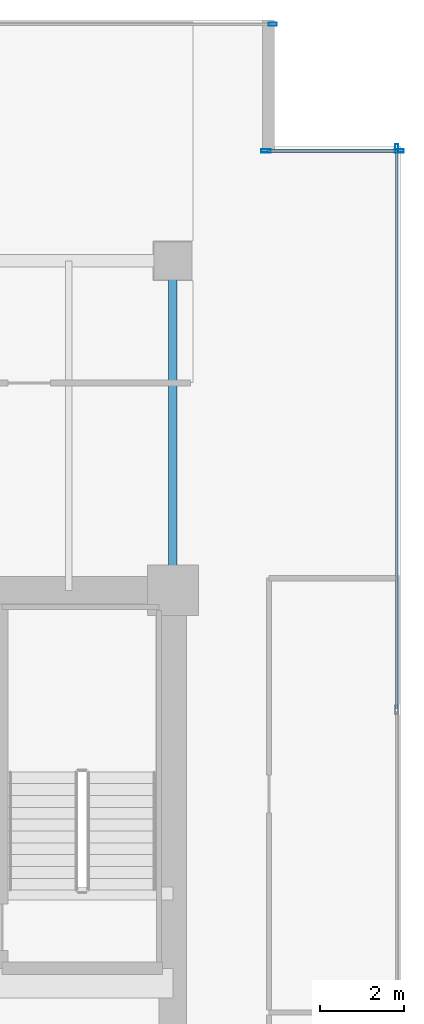
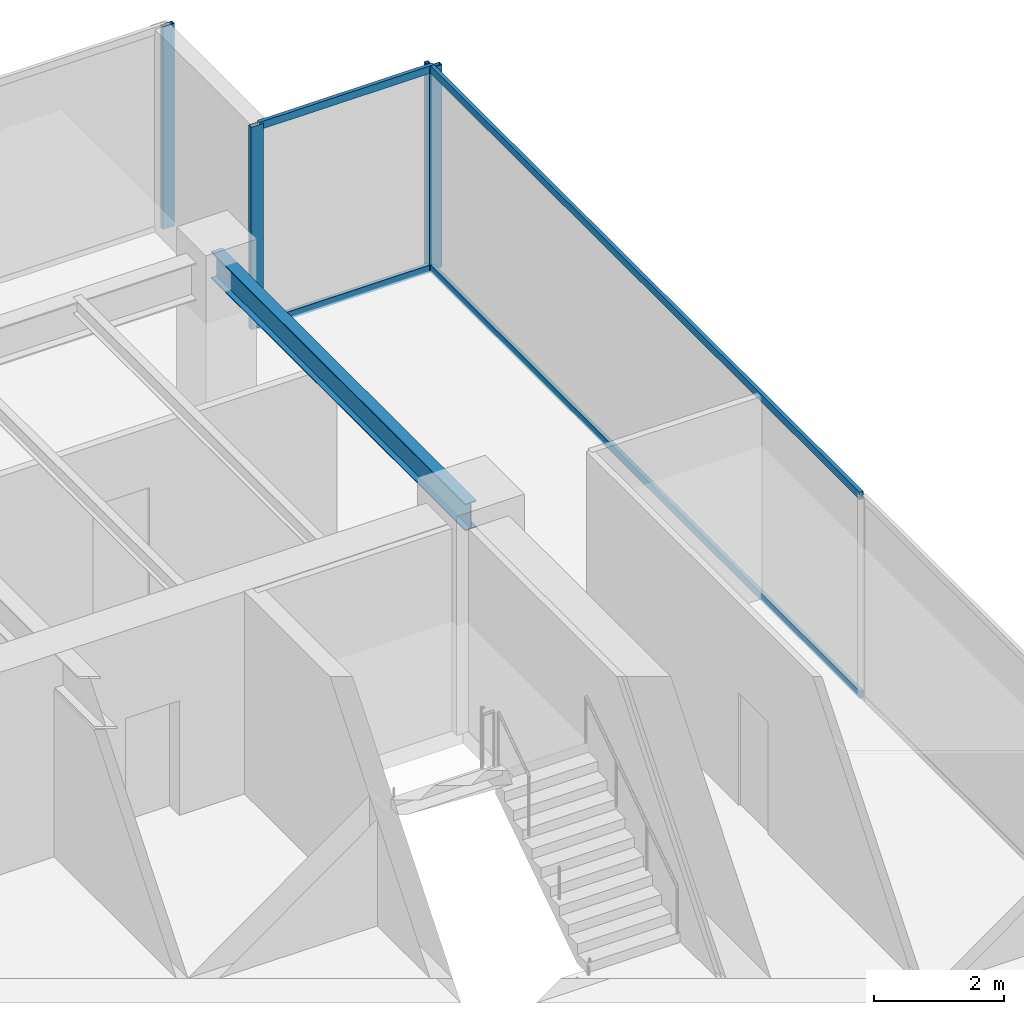
# One storey, part 23 of 33: 8 members, 1 beam, 3 elements without a shape of their own.
"""IFC4 building model written with IfcOpenShell, lengths in metres."""

from ifc_helpers import new_model, si_unit, direction, frame, origin, origin_2d, place, context, subcontext, project, spatial, hollow_rectangle, i_section, extrude, source, transform, mapped, material, layer, layer_set, material_profile, profile_set, type_object, type_shapes, element, aggregate, save


model = new_model("IFC4")

# Units and contexts
model_context = context("Model", 3, precision=1e-05, world=origin(), true_north=direction((0.0, 1.0)))
body_context = subcontext(model_context, "Body", "Model", "MODEL_VIEW")
ifc_project = project(units=[si_unit("LENGTHUNIT", "METRE"), si_unit("AREAUNIT", "SQUARE_METRE"), si_unit("VOLUMEUNIT", "CUBIC_METRE"), si_unit("PLANEANGLEUNIT", "RADIAN"), si_unit("MASSUNIT", "GRAM", prefix="KILO")], contexts=[model_context])

# Site, building, storey
site_placement = place(None, origin())
site = spatial("IfcSite", under=ifc_project, at=site_placement, CompositionType="ELEMENT")
building_placement = place(site_placement, origin())
building = spatial("IfcBuilding", under=site, at=building_placement, Name="Haelvirn Gate Laboratories", CompositionType="ELEMENT")
storey_placement = place(building_placement, frame((0.0, 0.0, 133.800048828125)))
storey = spatial("IfcBuildingStorey", under=building, at=storey_placement, Name="L32", CompositionType="ELEMENT", Elevation=133.800048828125)

# Beam
ifc_material_1 = material(Name="Steel SM355", Category="steel")
ifc_material_profile_1 = material_profile(ifc_material_1, i_section(OverallWidth=0.199951171875, OverallDepth=0.5, WebThickness=0.010009765625, FlangeThickness=0.01611328125, at=origin_2d()), Name="H-500x200x10x16")
ifc_profile_set_1 = profile_set([ifc_material_profile_1], Name="Steel SM355")
beam_type = type_object("IfcBeamType", Name="BM-SP-500", PredefinedType="SPANDREL", material=ifc_profile_set_1)
shared_shape_1 = source(origin(), body_context, "Body", "SweptSolid", [
    extrude(i_section(OverallWidth=0.199951171875, OverallDepth=0.5, WebThickness=0.010009765625, FlangeThickness=0.01611328125, at=origin_2d()), origin(), (0.0, 0.0, 1.0), 7.800048828125),
])
type_shapes(beam_type, [shared_shape_1])
beam_placement = place(storey_placement, frame((67.39990234375, 33.800048828125, 3.5400390625), z_axis=(0.0, 1.0, 0.0), x_axis=(-1.0, 0.0, 0.0)))
element("IfcBeam", 1, at=beam_placement, inside=storey, type_object=beam_type, Name="L32 Perimeter Spandrel X67.4 (33.8-41.6)", PredefinedType="SPANDREL", context=body_context, shape_type="MappedRepresentation", body=[
    mapped(shared_shape_1, transform((0.0, 0.0, 0.0), scale=1.0)),
])

# Curtain wall, members
ifc_material_2 = material(Name="Anodised bronze unitised aluminium & triple low-E glass", Category="aluminium")
ifc_layer_1 = layer(ifc_material_2, 0.181884765625, Name="CW-SYS-5")
ifc_layer_set_1 = layer_set([ifc_layer_1], Name="Anodised bronze unitised aluminium & triple low-E glass")
curtain_wall_type_1 = type_object("IfcCurtainWallType", Name="CW-SYS-5", PredefinedType="NOTDEFINED", material=ifc_layer_set_1)
curtain_wall_1_placement = place(storey_placement, origin())
curtain_wall_1 = element("IfcCurtainWall", 2, at=curtain_wall_1_placement, inside=storey, type_object=curtain_wall_type_1, Name="L32 Unitised Curtain Wall CW-L32-P0-E08-1", PredefinedType="NOTDEFINED")
ifc_material_3 = material(Name="Extruded aluminium 6063-T6 (anodised bronze)", Category="aluminium")
ifc_material_profile_2 = material_profile(ifc_material_3, hollow_rectangle(XDim=0.06494140625, YDim=0.139892578125, WallThickness=0.00390625, at=origin_2d()), Name="CWT-140x65x4")
ifc_profile_set_2 = profile_set([ifc_material_profile_2], Name="Extruded aluminium 6063-T6 (anodised bronze)")
member_type_1 = type_object("IfcMemberType", Name="CWT-T140", PredefinedType="USERDEFINED", material=ifc_profile_set_2)
shared_shape_2 = source(origin(), body_context, "Body", "SweptSolid", [
    extrude(hollow_rectangle(XDim=0.06494140625, YDim=0.139892578125, WallThickness=0.00390625, at=origin_2d()), origin(), (0.0, 0.0, 1.0), 3.080078125),
])
member_1_placement = place(storey_placement, frame((69.639892578125, 44.199951171875, 0.032470703125), z_axis=(1.0, 0.0, 0.0), x_axis=(0.0, 1.0, 0.0)))
member_1 = element("IfcMember", 3, at=member_1_placement, type_object=member_type_1, Name="CW5 transom 1.1", ObjectType="TRANSOM", PredefinedType="USERDEFINED", context=body_context, shape_type="MappedRepresentation", body=[
    mapped(shared_shape_2, transform((0.0, 0.0, 0.0), scale=1.0)),
])
member_2_placement = place(storey_placement, frame((69.639892578125, 44.199951171875, 3.757568359375), z_axis=(1.0, 0.0, 0.0), x_axis=(0.0, 1.0, 0.0)))
member_2 = element("IfcMember", 4, at=member_2_placement, type_object=member_type_1, Name="CW5 transom 1.2", ObjectType="TRANSOM", PredefinedType="USERDEFINED", context=body_context, shape_type="MappedRepresentation", body=[
    mapped(shared_shape_2, transform((0.0, 0.0, 0.0), scale=1.0)),
])

ifc_layer_2 = layer(ifc_material_2, 0.179931640625, Name="CW-SYS-3")
ifc_layer_set_2 = layer_set([ifc_layer_2], Name="Anodised bronze unitised aluminium & triple low-E glass")
curtain_wall_type_2 = type_object("IfcCurtainWallType", Name="CW-SYS-3", PredefinedType="NOTDEFINED", material=ifc_layer_set_2)
curtain_wall_2_placement = place(storey_placement, origin())
curtain_wall_2 = element("IfcCurtainWall", 5, at=curtain_wall_2_placement, inside=storey, type_object=curtain_wall_type_2, Name="L32 Unitised Curtain Wall CW-L32-P0-E07", PredefinedType="NOTDEFINED")
shared_shape_3 = source(origin(), body_context, "Body", "SweptSolid", [
    extrude(hollow_rectangle(XDim=0.06494140625, YDim=0.139892578125, WallThickness=0.00390625, at=origin_2d()), origin(), (0.0, 0.0, 1.0), 13.220947265625),
])
type_shapes(member_type_1, [shared_shape_2, shared_shape_3])
member_3_placement = place(storey_placement, frame((72.699951171875, 31.004150390625, 0.032470703125), z_axis=(0.0, 1.0, 0.0), x_axis=(-1.0, 0.0, 0.0)))
member_3 = element("IfcMember", 6, at=member_3_placement, type_object=member_type_1, Name="CW3 transom 3.1", ObjectType="TRANSOM", PredefinedType="USERDEFINED", context=body_context, shape_type="MappedRepresentation", body=[
    mapped(shared_shape_3, transform((0.0, 0.0, 0.0), scale=1.0)),
])
member_4_placement = place(storey_placement, frame((72.699951171875, 31.004150390625, 3.757568359375), z_axis=(0.0, 1.0, 0.0), x_axis=(-1.0, 0.0, 0.0)))
member_4 = element("IfcMember", 7, at=member_4_placement, type_object=member_type_1, Name="CW3 transom 3.2", ObjectType="TRANSOM", PredefinedType="USERDEFINED", context=body_context, shape_type="MappedRepresentation", body=[
    mapped(shared_shape_3, transform((0.0, 0.0, 0.0), scale=1.0)),
])
ifc_material_profile_3 = material_profile(ifc_material_3, hollow_rectangle(XDim=0.074951171875, YDim=0.199951171875, WallThickness=0.0048828125, at=origin_2d()), Name="CWM-200x75x5")
ifc_profile_set_3 = profile_set([ifc_material_profile_3], Name="Extruded aluminium 6063-T6 (anodised bronze)")
member_type_2 = type_object("IfcMemberType", Name="CWM-T200", PredefinedType="MULLION", material=ifc_profile_set_3)
shared_shape_4 = source(origin(), body_context, "Body", "SweptSolid", [
    extrude(hollow_rectangle(XDim=0.074951171875, YDim=0.199951171875, WallThickness=0.0048828125, at=origin_2d()), origin(), (0.0, 0.0, 1.0), 3.7900390625),
])
type_shapes(member_type_2, [shared_shape_4])
member_5_placement = place(storey_placement, frame((72.699951171875, 44.262451171875, 0.0), z_axis=(0.0, 0.0, 1.0), x_axis=(-1.0, 0.0, 0.0)))
member_5 = element("IfcMember", 8, at=member_5_placement, type_object=member_type_2, Name="CW3 mullion 4", PredefinedType="MULLION", context=body_context, shape_type="MappedRepresentation", body=[
    mapped(shared_shape_4, transform((0.0, 0.0, 0.0), scale=1.0)),
])
aggregate(curtain_wall_2, [member_5, member_3, member_4])

# Curtain wall, member
curtain_wall_3_placement = place(storey_placement, origin())
curtain_wall_3 = element("IfcCurtainWall", 9, at=curtain_wall_3_placement, inside=storey, type_object=curtain_wall_type_2, Name="L32 Unitised Curtain Wall CW-L32-P0-E10-1", PredefinedType="NOTDEFINED")
member_6_placement = place(storey_placement, frame((69.762451171875, 47.199951171875, 0.0), z_axis=(0.0, 0.0, 1.0), x_axis=(0.0, 1.0, 0.0)))
member_6 = element("IfcMember", 10, at=member_6_placement, type_object=member_type_2, Name="CW3 mullion 3", PredefinedType="MULLION", context=body_context, shape_type="MappedRepresentation", body=[
    mapped(shared_shape_4, transform((0.0, 0.0, 0.0), scale=1.0)),
])
aggregate(curtain_wall_3, [member_6])

# Member
ifc_material_profile_4 = material_profile(ifc_material_3, hollow_rectangle(XDim=0.080078125, YDim=0.219970703125, WallThickness=0.006103515625, at=origin_2d()), Name="CWM-220x80x6")
ifc_profile_set_4 = profile_set([ifc_material_profile_4], Name="Extruded aluminium 6063-T6 (anodised bronze)")
member_type_3 = type_object("IfcMemberType", Name="CWM-T220", PredefinedType="MULLION", material=ifc_profile_set_4)
shared_shape_5 = source(origin(), body_context, "Body", "SweptSolid", [
    extrude(hollow_rectangle(XDim=0.080078125, YDim=0.219970703125, WallThickness=0.006103515625, at=origin_2d()), origin(), (0.0, 0.0, 1.0), 3.7900390625),
])
type_shapes(member_type_3, [shared_shape_5])
member_7_placement = place(storey_placement, frame((69.60009765625, 44.199951171875, 0.0), z_axis=(0.0, 0.0, 1.0), x_axis=(0.0, 1.0, 0.0)))
member_7 = element("IfcMember", 11, at=member_7_placement, type_object=member_type_3, Name="CW5 mullion 1", PredefinedType="MULLION", context=body_context, shape_type="MappedRepresentation", body=[
    mapped(shared_shape_5, transform((0.0, 0.0, 0.0), scale=1.0)),
])

member_8_placement = place(storey_placement, frame((72.760009765625, 44.199951171875, 0.0), z_axis=(0.0, 0.0, 1.0), x_axis=(0.0, 1.0, 0.0)))
member_8 = element("IfcMember", 12, at=member_8_placement, type_object=member_type_3, Name="CW5 mullion 2", PredefinedType="MULLION", context=body_context, shape_type="MappedRepresentation", body=[
    mapped(shared_shape_5, transform((0.0, 0.0, 0.0), scale=1.0)),
])

aggregate(curtain_wall_1, [member_7, member_8, member_1, member_2])

save(model, "model.ifc")
